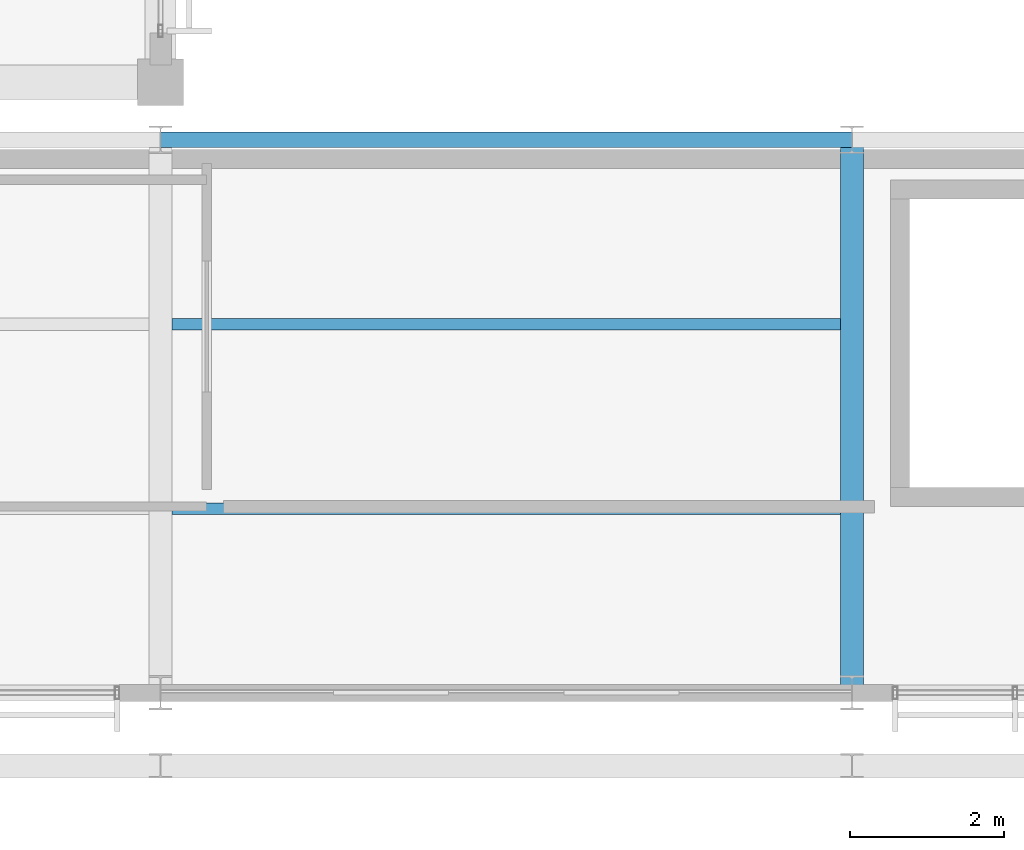
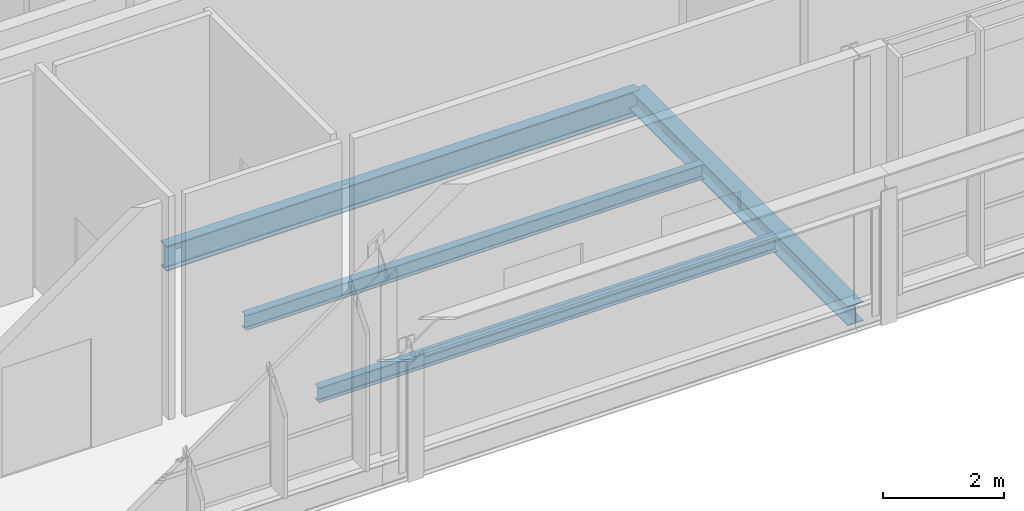
# One storey, part 109 of 177: 4 beams.
"""IFC4 building model written with IfcOpenShell, lengths in metres."""

from ifc_helpers import new_model, si_unit, direction, frame, origin, origin_2d, place, context, subcontext, project, spatial, i_section, extrude, material, material_profile, profile_set, type_object, element, save


model = new_model("IFC4")

# Units and contexts
model_context = context("Model", 3, precision=1e-05, world=origin(), true_north=direction((0.0, 1.0)))
body_context = subcontext(model_context, "Body", "Model", "MODEL_VIEW")
ifc_project = project(units=[si_unit("LENGTHUNIT", "METRE"), si_unit("AREAUNIT", "SQUARE_METRE"), si_unit("VOLUMEUNIT", "CUBIC_METRE"), si_unit("PLANEANGLEUNIT", "RADIAN"), si_unit("MASSUNIT", "GRAM", prefix="KILO")], contexts=[model_context])

# Site, building, storey
site_placement = place(None, origin())
site = spatial("IfcSite", under=ifc_project, at=site_placement, CompositionType="ELEMENT")
building_placement = place(site_placement, origin())
building = spatial("IfcBuilding", under=site, at=building_placement, Name="Chiffa Square Polytechnic", CompositionType="ELEMENT")
storey_placement = place(building_placement, frame((0.0, 0.0, 4.800048828125)))
storey = spatial("IfcBuildingStorey", under=building, at=storey_placement, Name="L01", CompositionType="ELEMENT", Elevation=4.800048828125)

# Beams
ifc_material = material(Name="Steel S355", Category="steel")
ifc_material_profile_1 = material_profile(ifc_material, i_section(OverallWidth=0.300048828125, OverallDepth=0.389892578125, WebThickness=0.010986328125, FlangeThickness=0.01904296875, FilletRadius=0.027099609375, at=origin_2d()), Name="HEA 400")
ifc_profile_set_1 = profile_set([ifc_material_profile_1], Name="Steel S355")
beam_type_1 = type_object("IfcBeamType", Name="BM-STL-HEA400", PredefinedType="BEAM", material=ifc_profile_set_1)
beam_1_placement = place(storey_placement, frame((157.199951171875, 87.0, -0.47509765625), z_axis=(0.0, 1.0, 0.0), x_axis=(-1.0, 0.0, 0.0)))
element("IfcBeam", 1, at=beam_1_placement, inside=storey, type_object=beam_type_1, Name="Primary floor girder BM-V2-L01-Y-1572-0870", PredefinedType="BEAM", context=body_context, shape_type="SweptSolid", body=[
    extrude(i_section(OverallWidth=0.300048828125, OverallDepth=0.389892578125, WebThickness=0.010986328125, FlangeThickness=0.01904296875, FilletRadius=0.027099609375, at=origin_2d()), origin(), (0.0, 0.0, 1.0), 7.199951171875),
])
ifc_material_profile_2 = material_profile(ifc_material, i_section(OverallWidth=0.199951171875, OverallDepth=0.5, WebThickness=0.01025390625, FlangeThickness=0.01611328125, FilletRadius=0.02099609375, at=origin_2d()), Name="IPE 500")
ifc_profile_set_2 = profile_set([ifc_material_profile_2], Name="Steel S355")
beam_type_2 = type_object("IfcBeamType", Name="BM-STL-IPE500", PredefinedType="BEAM", material=ifc_profile_set_2)
beam_2_placement = place(storey_placement, frame((148.199951171875, 94.199951171875, -0.530029296875), z_axis=(1.0, 0.0, 0.0), x_axis=(0.0, 1.0, 0.0)))
element("IfcBeam", 2, at=beam_2_placement, inside=storey, type_object=beam_type_2, Name="Primary floor girder BM-V2-L01-X-1482-0942", PredefinedType="BEAM", context=body_context, shape_type="SweptSolid", body=[
    extrude(i_section(OverallWidth=0.199951171875, OverallDepth=0.5, WebThickness=0.01025390625, FlangeThickness=0.01611328125, FilletRadius=0.02099609375, at=origin_2d()), origin(), (0.0, 0.0, 1.0), 9.0),
])
ifc_material_profile_3 = material_profile(ifc_material, i_section(OverallWidth=0.14990234375, OverallDepth=0.300048828125, WebThickness=0.007080078125, FlangeThickness=0.0107421875, FilletRadius=0.014892578125, at=origin_2d()), Name="IPE 300")
ifc_profile_set_3 = profile_set([ifc_material_profile_3], Name="Steel S355")
beam_type_3 = type_object("IfcBeamType", Name="JST-STL-IPE300", PredefinedType="JOIST", material=ifc_profile_set_3)
for number, where, z_axis, x_axis, name in (
    (3, (148.347900390625, 89.39990234375, -0.429931640625), (1.0, 0.0, 0.0), (0.0, 1.0, 0.0), "Secondary floor joist JST-V2-L01-1482-0894"),
    (4, (148.347900390625, 91.800048828125, -0.429931640625), (1.0, 0.0, 0.0), (0.0, 1.0, 0.0), "Secondary floor joist JST-V2-L01-1482-0918"),
):
    element("IfcBeam", number, at=place(storey_placement, frame(where, z_axis=z_axis, x_axis=x_axis)), inside=storey, type_object=beam_type_3, Name=name, PredefinedType="JOIST", context=body_context, shape_type="SweptSolid", body=[
        extrude(i_section(OverallWidth=0.14990234375, OverallDepth=0.300048828125, WebThickness=0.007080078125, FlangeThickness=0.0107421875, FilletRadius=0.014892578125, at=origin_2d()), origin(), (0.0, 0.0, 1.0), 8.7041015625),
    ])

save(model, "model.ifc")
